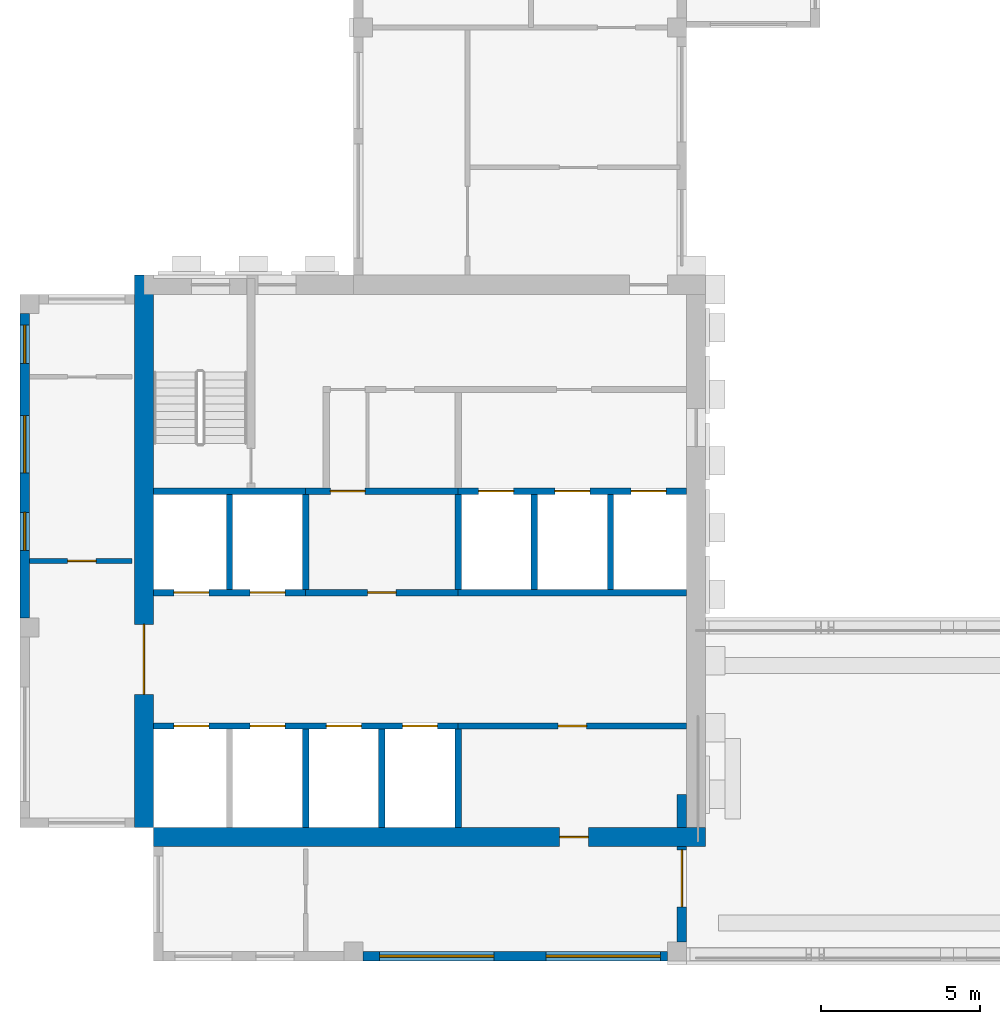
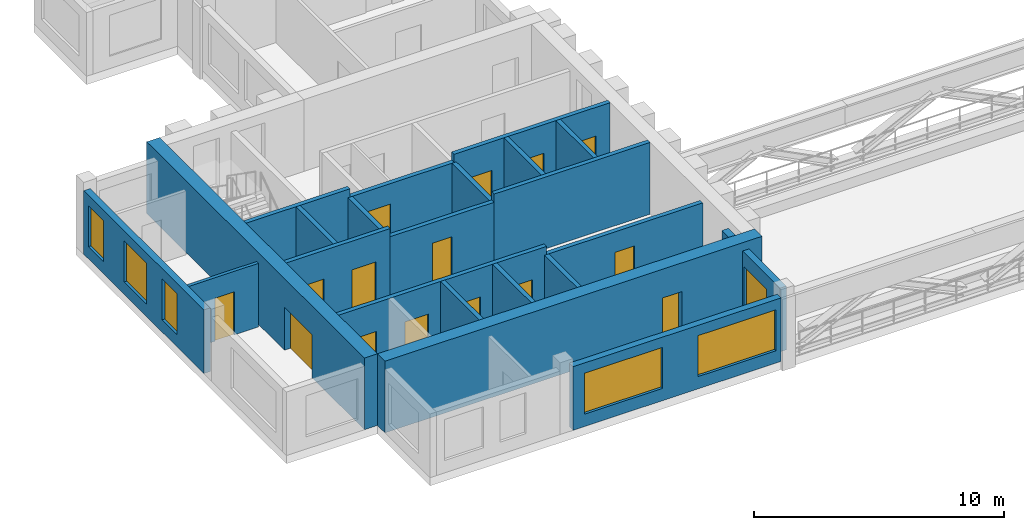
# One storey, part 2 of 9: 23 walls, 16 doors, 5 windows, 21 openings.
"""IFC4 building model written with IfcOpenShell, lengths in metres."""

from ifc_helpers import new_model, si_unit, direction, frame, frame_2d, origin, place, context, subcontext, project, spatial, rectangle, extrude, source, transform, mapped, material, layer, layer_set, type_object, element, fill, save


model = new_model("IFC4")

# Units and contexts
model_context = context("Model", 3, precision=1e-05, world=origin(), true_north=direction((0.0, 1.0)))
body_context = subcontext(model_context, "Body", "Model", "MODEL_VIEW")
ifc_project = project(units=[si_unit("LENGTHUNIT", "METRE"), si_unit("AREAUNIT", "SQUARE_METRE"), si_unit("VOLUMEUNIT", "CUBIC_METRE"), si_unit("PLANEANGLEUNIT", "RADIAN"), si_unit("MASSUNIT", "GRAM", prefix="KILO")], contexts=[model_context])

# Site, building, storey
site_placement = place(None, origin())
site = spatial("IfcSite", under=ifc_project, at=site_placement, CompositionType="ELEMENT")
building_placement = place(site_placement, origin())
building = spatial("IfcBuilding", under=site, at=building_placement, Name="Aurelian Terraces", CompositionType="ELEMENT")
storey_placement = place(building_placement, frame((0.0, 0.0, 351.0)))
storey = spatial("IfcBuildingStorey", under=building, at=storey_placement, Name="L83", CompositionType="ELEMENT", Elevation=351.0)

# Wall, opening, door
ifc_material_1 = material(Name="Concrete fc' 55 MPa", Category="concrete")
ifc_layer_1 = layer(ifc_material_1, 0.6)
ifc_layer_set_1 = layer_set([ifc_layer_1], Name="CORE WALL 600 FC55")
wall_type_1 = type_object("IfcWallType", Name="CORE WALL 600 FC55", PredefinedType="SHEAR", material=ifc_layer_set_1)
shared_shape_1 = source(origin(), body_context, "Body", "SweptSolid", [
    extrude(rectangle(XDim=17.4, YDim=0.6, at=frame_2d((8.7, 0.0))), origin(), (0.0, 0.0, 1.0), 3.5),
])
wall_1_placement = place(storey_placement, frame((3.9, 4.2, 0.0), z_axis=(0.0, 0.0, 1.0), x_axis=(0.0, 1.0, 0.0)))
wall_1 = element("IfcWall", 1, at=wall_1_placement, inside=storey, type_object=wall_type_1, Name="Core wall W L83", PredefinedType="SHEAR", context=body_context, shape_type="MappedRepresentation", body=[
    mapped(shared_shape_1, transform((0.0, 0.0, 0.0), scale=1.0)),
])
shared_shape_2 = source(origin(), body_context, "Body", "SweptSolid", [
    extrude(rectangle(XDim=2.2, YDim=2.1, at=frame_2d((1.1, 1.05))), frame((0.0, 0.31, 0.0), z_axis=(0.0, -1.0, 0.0), x_axis=(1.0, 0.0, 0.0)), (0.0, 0.0, 1.0), 0.62),
])
opening_1_placement = place(wall_1_placement, frame((4.2, 0.0, 0.0)))
opening_1 = element("IfcOpeningElement", 2, at=opening_1_placement, cuts=wall_1, Name="Opening 68620", PredefinedType="OPENING", context=body_context, shape_type="MappedRepresentation", body=[
    mapped(shared_shape_2, transform((0.0, 0.0, 0.0), scale=1.0)),
])
ifc_material_2 = material(Name="Steel door leaf", Category="steel")
door_type_1 = type_object("IfcDoorType", Name="Core double door 2200x2100", OperationType="DOUBLE_DOOR_SINGLE_SWING", PredefinedType="DOOR", material=ifc_material_2)
shared_shape_3 = source(origin(), body_context, "Body", "SweptSolid", [
    extrude(rectangle(XDim=2.2, YDim=2.1, at=frame_2d((1.1, 1.05))), frame((0.0, 0.025, 0.0), z_axis=(0.0, -1.0, 0.0), x_axis=(1.0, 0.0, 0.0)), (0.0, 0.0, 1.0), 0.05),
])
door_1_placement = place(opening_1_placement, origin())
door_1 = element("IfcDoor", 3, at=door_1_placement, inside=storey, type_object=door_type_1, Name="Core door 68620", OperationType="DOUBLE_DOOR_SINGLE_SWING", OverallHeight=2.1, OverallWidth=2.2, PredefinedType="DOOR", context=body_context, shape_type="MappedRepresentation", body=[
    mapped(shared_shape_3, transform((0.0, 0.0, 0.0), scale=1.0)),
])
fill(opening_1, door_1)

wall_2_placement = place(storey_placement, frame((4.2, 3.9, 0.0), z_axis=(0.0, 0.0, 1.0), x_axis=(1.0, 0.0, 0.0)))
wall_2 = element("IfcWall", 4, at=wall_2_placement, inside=storey, type_object=wall_type_1, Name="Core wall S L83", PredefinedType="SHEAR", context=body_context, shape_type="MappedRepresentation", body=[
    mapped(shared_shape_1, transform((0.0, 0.0, 0.0), scale=1.0)),
])
shared_shape_4 = source(origin(), body_context, "Body", "SweptSolid", [
    extrude(rectangle(XDim=0.9, YDim=2.1, at=frame_2d((0.45, 1.05))), frame((0.0, 0.31, 0.0), z_axis=(0.0, -1.0, 0.0), x_axis=(1.0, 0.0, 0.0)), (0.0, 0.0, 1.0), 0.62),
])
opening_2_placement = place(wall_2_placement, frame((12.8, 0.0, 0.0)))
opening_2 = element("IfcOpeningElement", 5, at=opening_2_placement, cuts=wall_2, Name="Opening 68622", PredefinedType="OPENING", context=body_context, shape_type="MappedRepresentation", body=[
    mapped(shared_shape_4, transform((0.0, 0.0, 0.0), scale=1.0)),
])
door_type_2 = type_object("IfcDoorType", Name="Core service door 900x2100", OperationType="SINGLE_SWING_LEFT", PredefinedType="DOOR", material=ifc_material_2)
shared_shape_5 = source(origin(), body_context, "Body", "SweptSolid", [
    extrude(rectangle(XDim=0.9, YDim=2.1, at=frame_2d((0.45, 1.05))), frame((0.0, 0.025, 0.0), z_axis=(0.0, -1.0, 0.0), x_axis=(1.0, 0.0, 0.0)), (0.0, 0.0, 1.0), 0.05),
])
door_2_placement = place(opening_2_placement, origin())
door_2 = element("IfcDoor", 6, at=door_2_placement, inside=storey, type_object=door_type_2, Name="Core door 68622", OperationType="SINGLE_SWING_LEFT", OverallHeight=2.1, OverallWidth=0.9, PredefinedType="DOOR", context=body_context, shape_type="MappedRepresentation", body=[
    mapped(shared_shape_5, transform((0.0, 0.0, 0.0), scale=1.0)),
])
fill(opening_2, door_2)

# Wall
ifc_material_3 = material(Name="Terracotta rainscreen cladding", Category="masonry")
ifc_layer_2 = layer(ifc_material_3, 0.3)
ifc_layer_set_2 = layer_set([ifc_layer_2], Name="EW-300")
wall_type_2 = type_object("IfcWallType", Name="EW-300", PredefinedType="STANDARD", material=ifc_layer_set_2)
shared_shape_6 = source(origin(), body_context, "Body", "SweptSolid", [
    extrude(rectangle(XDim=1.05, YDim=0.3, at=frame_2d((0.525, 0.0))), origin(), (0.0, 0.0, 1.0), 3.1),
])
wall_3_placement = place(storey_placement, frame((20.85, 4.2, 0.0), z_axis=(0.0, 0.0, 1.0), x_axis=(0.0, 1.0, 0.0)))
element("IfcWall", 7, at=wall_3_placement, inside=storey, type_object=wall_type_2, Name="External wall L83 F02.3", PredefinedType="STANDARD", context=body_context, shape_type="MappedRepresentation", body=[
    mapped(shared_shape_6, transform((0.0, 0.0, 0.0), scale=1.0)),
])

# Wall, opening, door
shared_shape_7 = source(origin(), body_context, "Body", "SweptSolid", [
    extrude(rectangle(XDim=3.0, YDim=0.3, at=frame_2d((1.5, 0.0))), origin(), (0.0, 0.0, 1.0), 3.1),
])
wall_4_placement = place(storey_placement, frame((20.85, 0.6, 0.0), z_axis=(0.0, 0.0, 1.0), x_axis=(0.0, 1.0, 0.0)))
wall_4 = element("IfcWall", 8, at=wall_4_placement, inside=storey, type_object=wall_type_2, Name="External wall L83 F02.3", PredefinedType="STANDARD", context=body_context, shape_type="MappedRepresentation", body=[
    mapped(shared_shape_7, transform((0.0, 0.0, 0.0), scale=1.0)),
])
shared_shape_8 = source(origin(), body_context, "Body", "SweptSolid", [
    extrude(rectangle(XDim=1.8, YDim=2.4, at=frame_2d((0.9, 1.2))), frame((0.0, 0.16, 0.0), z_axis=(0.0, -1.0, 0.0), x_axis=(1.0, 0.0, 0.0)), (0.0, 0.0, 1.0), 0.32),
])
opening_3_placement = place(wall_4_placement, frame((1.1, 0.0, 0.0)))
opening_3 = element("IfcOpeningElement", 9, at=opening_3_placement, cuts=wall_4, Name="Opening 88301", PredefinedType="OPENING", context=body_context, shape_type="MappedRepresentation", body=[
    mapped(shared_shape_8, transform((0.0, 0.0, 0.0), scale=1.0)),
])
ifc_material_4 = material(Name="Clear glazing", Category="glass")
door_type_3 = type_object("IfcDoorType", Name="BD-1800x2400", OperationType="SLIDING_TO_LEFT", PredefinedType="DOOR", material=ifc_material_4)
shared_shape_9 = source(origin(), body_context, "Body", "SweptSolid", [
    extrude(rectangle(XDim=1.8, YDim=2.4, at=frame_2d((0.9, 1.2))), frame((0.0, 0.025, 0.0), z_axis=(0.0, -1.0, 0.0), x_axis=(1.0, 0.0, 0.0)), (0.0, 0.0, 1.0), 0.05),
])
door_3_placement = place(opening_3_placement, origin())
door_3 = element("IfcDoor", 10, at=door_3_placement, inside=storey, type_object=door_type_3, Name="Terrace door L83 L83-F02-03.1", OperationType="SLIDING_TO_LEFT", OverallHeight=2.4, OverallWidth=1.8, PredefinedType="DOOR", context=body_context, shape_type="MappedRepresentation", body=[
    mapped(shared_shape_9, transform((0.0, 0.0, 0.0), scale=1.0)),
])
fill(opening_3, door_3)

# Wall, openings, windows
shared_shape_10 = source(origin(), body_context, "Body", "SweptSolid", [
    extrude(rectangle(XDim=9.6, YDim=0.3, at=frame_2d((4.8, 0.0))), origin(), (0.0, 0.0, 1.0), 3.1),
])
wall_5_placement = place(storey_placement, frame((10.8, 0.15, 0.0), z_axis=(0.0, 0.0, 1.0), x_axis=(1.0, 0.0, 0.0)))
wall_5 = element("IfcWall", 11, at=wall_5_placement, inside=storey, type_object=wall_type_2, Name="External wall L83 F01.2", PredefinedType="STANDARD", context=body_context, shape_type="MappedRepresentation", body=[
    mapped(shared_shape_10, transform((0.0, 0.0, 0.0), scale=1.0)),
])
shared_shape_11 = source(origin(), body_context, "Body", "SweptSolid", [
    extrude(rectangle(XDim=3.6, YDim=2.0, at=frame_2d((1.8, 1.0))), frame((0.0, 0.16, 0.0), z_axis=(0.0, -1.0, 0.0), x_axis=(1.0, 0.0, 0.0)), (0.0, 0.0, 1.0), 0.32),
])
opening_4_placement = place(wall_5_placement, frame((0.525, 0.0, 0.6)))
opening_4 = element("IfcOpeningElement", 12, at=opening_4_placement, cuts=wall_5, Name="Opening W3620", PredefinedType="OPENING", context=body_context, shape_type="MappedRepresentation", body=[
    mapped(shared_shape_11, transform((0.0, 0.0, 0.0), scale=1.0)),
])
opening_5_placement = place(wall_5_placement, frame((5.775, 0.0, 0.6)))
opening_5 = element("IfcOpeningElement", 13, at=opening_5_placement, cuts=wall_5, Name="Opening W3620", PredefinedType="OPENING", context=body_context, shape_type="MappedRepresentation", body=[
    mapped(shared_shape_11, transform((0.0, 0.0, 0.0), scale=1.0)),
])
window_type_1 = type_object("IfcWindowType", Name="W-3600x2000", PartitioningType="SINGLE_PANEL", PredefinedType="WINDOW", material=ifc_material_4)
shared_shape_12 = source(origin(), body_context, "Body", "SweptSolid", [
    extrude(rectangle(XDim=3.6, YDim=2.0, at=frame_2d((1.8, 1.0))), frame((0.0, 0.03, 0.0), z_axis=(0.0, -1.0, 0.0), x_axis=(1.0, 0.0, 0.0)), (0.0, 0.0, 1.0), 0.06),
])
window_1_placement = place(opening_4_placement, origin())
window_1 = element("IfcWindow", 14, at=window_1_placement, inside=storey, type_object=window_type_1, Name="Window L83 L83-F01-02-0", OverallHeight=2.0, OverallWidth=3.6, PartitioningType="SINGLE_PANEL", PredefinedType="WINDOW", context=body_context, shape_type="MappedRepresentation", body=[
    mapped(shared_shape_12, transform((0.0, 0.0, 0.0), scale=1.0)),
])
fill(opening_4, window_1)
window_2_placement = place(opening_5_placement, origin())
window_2 = element("IfcWindow", 15, at=window_2_placement, inside=storey, type_object=window_type_1, Name="Window L83 L83-F01-02-1", OverallHeight=2.0, OverallWidth=3.6, PartitioningType="SINGLE_PANEL", PredefinedType="WINDOW", context=body_context, shape_type="MappedRepresentation", body=[
    mapped(shared_shape_12, transform((0.0, 0.0, 0.0), scale=1.0)),
])
fill(opening_5, window_2)

wall_6_placement = place(storey_placement, frame((0.15, 20.4, 0.0), z_axis=(0.0, 0.0, 1.0), x_axis=(0.0, -1.0, 0.0)))
wall_6 = element("IfcWall", 16, at=wall_6_placement, inside=storey, type_object=wall_type_2, Name="External wall L83 F10.16", PredefinedType="STANDARD", context=body_context, shape_type="MappedRepresentation", body=[
    mapped(shared_shape_10, transform((0.0, 0.0, 0.0), scale=1.0)),
])
shared_shape_13 = source(origin(), body_context, "Body", "SweptSolid", [
    extrude(rectangle(XDim=1.2, YDim=2.0, at=frame_2d((0.6, 1.0))), frame((0.0, 0.16, 0.0), z_axis=(0.0, -1.0, 0.0), x_axis=(1.0, 0.0, 0.0)), (0.0, 0.0, 1.0), 0.32),
])
opening_6_placement = place(wall_6_placement, frame((0.375, 0.0, 0.6)))
opening_6 = element("IfcOpeningElement", 17, at=opening_6_placement, cuts=wall_6, Name="Opening W1220", PredefinedType="OPENING", context=body_context, shape_type="MappedRepresentation", body=[
    mapped(shared_shape_13, transform((0.0, 0.0, 0.0), scale=1.0)),
])
shared_shape_14 = source(origin(), body_context, "Body", "SweptSolid", [
    extrude(rectangle(XDim=1.8, YDim=2.0, at=frame_2d((0.9, 1.0))), frame((0.0, 0.16, 0.0), z_axis=(0.0, -1.0, 0.0), x_axis=(1.0, 0.0, 0.0)), (0.0, 0.0, 1.0), 0.32),
])
opening_7_placement = place(wall_6_placement, frame((3.225, 0.0, 0.6)))
opening_7 = element("IfcOpeningElement", 18, at=opening_7_placement, cuts=wall_6, Name="Opening W1820", PredefinedType="OPENING", context=body_context, shape_type="MappedRepresentation", body=[
    mapped(shared_shape_14, transform((0.0, 0.0, 0.0), scale=1.0)),
])
opening_8_placement = place(wall_6_placement, frame((6.2688, 0.0, 0.6)))
opening_8 = element("IfcOpeningElement", 19, at=opening_8_placement, cuts=wall_6, Name="Opening W1220", PredefinedType="OPENING", context=body_context, shape_type="MappedRepresentation", body=[
    mapped(shared_shape_13, transform((0.0, 0.0, 0.0), scale=1.0)),
])
window_type_2 = type_object("IfcWindowType", Name="W-1200x2000", PartitioningType="SINGLE_PANEL", PredefinedType="WINDOW", material=ifc_material_4)
shared_shape_15 = source(origin(), body_context, "Body", "SweptSolid", [
    extrude(rectangle(XDim=1.2, YDim=2.0, at=frame_2d((0.6, 1.0))), frame((0.0, 0.03, 0.0), z_axis=(0.0, -1.0, 0.0), x_axis=(1.0, 0.0, 0.0)), (0.0, 0.0, 1.0), 0.06),
])
window_3_placement = place(opening_6_placement, origin())
window_3 = element("IfcWindow", 20, at=window_3_placement, inside=storey, type_object=window_type_2, Name="Window L83 L83-F10-16-0", OverallHeight=2.0, OverallWidth=1.2, PartitioningType="SINGLE_PANEL", PredefinedType="WINDOW", context=body_context, shape_type="MappedRepresentation", body=[
    mapped(shared_shape_15, transform((0.0, 0.0, 0.0), scale=1.0)),
])
fill(opening_6, window_3)
window_4_placement = place(opening_8_placement, origin())
window_4 = element("IfcWindow", 21, at=window_4_placement, inside=storey, type_object=window_type_2, Name="Window L83 L83-F10-16-G0-56", OverallHeight=2.0, OverallWidth=1.2, PartitioningType="SINGLE_PANEL", PredefinedType="WINDOW", context=body_context, shape_type="MappedRepresentation", body=[
    mapped(shared_shape_15, transform((0.0, 0.0, 0.0), scale=1.0)),
])
fill(opening_8, window_4)
window_type_3 = type_object("IfcWindowType", Name="W-1800x2000", PartitioningType="SINGLE_PANEL", PredefinedType="WINDOW", material=ifc_material_4)
shared_shape_16 = source(origin(), body_context, "Body", "SweptSolid", [
    extrude(rectangle(XDim=1.8, YDim=2.0, at=frame_2d((0.9, 1.0))), frame((0.0, 0.03, 0.0), z_axis=(0.0, -1.0, 0.0), x_axis=(1.0, 0.0, 0.0)), (0.0, 0.0, 1.0), 0.06),
])
window_5_placement = place(opening_7_placement, origin())
window_5 = element("IfcWindow", 22, at=window_5_placement, inside=storey, type_object=window_type_3, Name="Window L83 L83-F10-16-1", OverallHeight=2.0, OverallWidth=1.8, PartitioningType="SINGLE_PANEL", PredefinedType="WINDOW", context=body_context, shape_type="MappedRepresentation", body=[
    mapped(shared_shape_16, transform((0.0, 0.0, 0.0), scale=1.0)),
])
fill(opening_7, window_5)

# Walls
ifc_material_5 = material(Name="Concrete fc' 40 MPa", Category="concrete")
ifc_layer_3 = layer(ifc_material_5, 0.2)
ifc_layer_set_3 = layer_set([ifc_layer_3], Name="Lift shaft wall 200")
wall_type_3 = type_object("IfcWallType", Name="Lift shaft wall 200", PredefinedType="SOLIDWALL", material=ifc_layer_set_3)
shared_shape_17 = source(origin(), body_context, "Body", "SweptSolid", [
    extrude(rectangle(XDim=3.1, YDim=0.2, at=frame_2d((1.55, 0.0))), origin(), (0.0, 0.0, 1.0), 3.5),
])
for number, where, z_axis, x_axis, name in (
    (23, (9.0, 4.2, 0.0), (0.0, 0.0, 1.0), (0.0, 1.0, 0.0), "L83 core wall CD-A2"),
    (24, (11.4, 4.2, 0.0), (0.0, 0.0, 1.0), (0.0, 1.0, 0.0), "L83 core wall CD-A3"),
):
    element("IfcWall", number, at=place(storey_placement, frame(where, z_axis=z_axis, x_axis=x_axis)), inside=storey, type_object=wall_type_3, Name=name, PredefinedType="SOLIDWALL", context=body_context, shape_type="MappedRepresentation", body=[
        mapped(shared_shape_17, transform((0.0, 0.0, 0.0), scale=1.0)),
    ])
shared_shape_18 = source(origin(), body_context, "Body", "SweptSolid", [
    extrude(rectangle(XDim=3.1, YDim=0.2, at=frame_2d((1.55, 0.0))), origin(), (0.0, 0.0, 1.0), 3.1),
])
wall_7_placement = place(storey_placement, frame((13.8, 4.2, 0.0), z_axis=(0.0, 0.0, 1.0), x_axis=(0.0, 1.0, 0.0)))
element("IfcWall", 25, at=wall_7_placement, inside=storey, type_object=wall_type_3, Name="L83 core wall CD-A4", PredefinedType="SOLIDWALL", context=body_context, shape_type="MappedRepresentation", body=[
    mapped(shared_shape_18, transform((0.0, 0.0, 0.0), scale=1.0)),
])
shared_shape_19 = source(origin(), body_context, "Body", "SweptSolid", [
    extrude(rectangle(XDim=3.0, YDim=0.2, at=frame_2d((1.5, 0.0))), origin(), (0.0, 0.0, 1.0), 3.1),
])
for number, where, z_axis, x_axis, name in (
    (26, (9.0, 11.7, 0.0), (0.0, 0.0, 1.0), (0.0, 1.0, 0.0), "L83 core wall CD-B2"),
    (27, (13.8, 11.7, 0.0), (0.0, 0.0, 1.0), (0.0, 1.0, 0.0), "L83 core wall CD-B4"),
):
    element("IfcWall", number, at=place(storey_placement, frame(where, z_axis=z_axis, x_axis=x_axis)), inside=storey, type_object=wall_type_3, Name=name, PredefinedType="SOLIDWALL", context=body_context, shape_type="MappedRepresentation", body=[
        mapped(shared_shape_19, transform((0.0, 0.0, 0.0), scale=1.0)),
    ])
shared_shape_20 = source(origin(), body_context, "Body", "SweptSolid", [
    extrude(rectangle(XDim=3.0, YDim=0.2, at=frame_2d((1.5, 0.0))), origin(), (0.0, 0.0, 1.0), 3.5),
])
for number, where, z_axis, x_axis, name in (
    (28, (6.6, 11.7, 0.0), (0.0, 0.0, 1.0), (0.0, 1.0, 0.0), "L83 core wall CD-B1"),
    (29, (16.2, 11.7, 0.0), (0.0, 0.0, 1.0), (0.0, 1.0, 0.0), "L83 core wall CD-B5"),
    (30, (18.6, 11.7, 0.0), (0.0, 0.0, 1.0), (0.0, 1.0, 0.0), "L83 core wall CD-B6"),
):
    element("IfcWall", number, at=place(storey_placement, frame(where, z_axis=z_axis, x_axis=x_axis)), inside=storey, type_object=wall_type_3, Name=name, PredefinedType="SOLIDWALL", context=body_context, shape_type="MappedRepresentation", body=[
        mapped(shared_shape_20, transform((0.0, 0.0, 0.0), scale=1.0)),
    ])

# Wall, openings, doors
shared_shape_21 = source(origin(), body_context, "Body", "SweptSolid", [
    extrude(rectangle(XDim=4.8, YDim=0.2, at=frame_2d((2.4, 0.0))), origin(), (0.0, 0.0, 1.0), 3.5),
])
wall_8_placement = place(storey_placement, frame((4.2, 11.6, 0.0), z_axis=(0.0, 0.0, 1.0), x_axis=(1.0, 0.0, 0.0)))
wall_8 = element("IfcWall", 31, at=wall_8_placement, inside=storey, type_object=wall_type_3, Name="L83 core wall CF-BF1", PredefinedType="SOLIDWALL", context=body_context, shape_type="MappedRepresentation", body=[
    mapped(shared_shape_21, transform((0.0, 0.0, 0.0), scale=1.0)),
])
shared_shape_22 = source(origin(), body_context, "Body", "SweptSolid", [
    extrude(rectangle(XDim=1.1, YDim=2.1, at=frame_2d((0.55, 1.05))), frame((0.0, 0.11, 0.0), z_axis=(0.0, -1.0, 0.0), x_axis=(1.0, 0.0, 0.0)), (0.0, 0.0, 1.0), 0.22),
])
opening_9_placement = place(wall_8_placement, frame((0.65, 0.0, 0.0)))
opening_9 = element("IfcOpeningElement", 32, at=opening_9_placement, cuts=wall_8, Name="Opening 68605", PredefinedType="OPENING", context=body_context, shape_type="MappedRepresentation", body=[
    mapped(shared_shape_22, transform((0.0, 0.0, 0.0), scale=1.0)),
])
opening_10_placement = place(wall_8_placement, frame((3.05, 0.0, 0.0)))
opening_10 = element("IfcOpeningElement", 33, at=opening_10_placement, cuts=wall_8, Name="Opening 68606", PredefinedType="OPENING", context=body_context, shape_type="MappedRepresentation", body=[
    mapped(shared_shape_22, transform((0.0, 0.0, 0.0), scale=1.0)),
])
ifc_material_6 = material(Name="Stainless steel", Category="steel")
door_type_4 = type_object("IfcDoorType", Name="Lift landing door 1100x2100", OperationType="SLIDING_TO_LEFT", PredefinedType="DOOR", material=ifc_material_6)
shared_shape_23 = source(origin(), body_context, "Body", "SweptSolid", [
    extrude(rectangle(XDim=1.1, YDim=2.1, at=frame_2d((0.55, 1.05))), frame((0.0, 0.025, 0.0), z_axis=(0.0, -1.0, 0.0), x_axis=(1.0, 0.0, 0.0)), (0.0, 0.0, 1.0), 0.05),
])
door_4_placement = place(opening_9_placement, origin())
door_4 = element("IfcDoor", 34, at=door_4_placement, inside=storey, type_object=door_type_4, Name="Lift landing door LH5 L83", OperationType="SLIDING_TO_LEFT", OverallHeight=2.1, OverallWidth=1.1, PredefinedType="DOOR", context=body_context, shape_type="MappedRepresentation", body=[
    mapped(shared_shape_23, transform((0.0, 0.0, 0.0), scale=1.0)),
])
fill(opening_9, door_4)
door_5_placement = place(opening_10_placement, origin())
door_5 = element("IfcDoor", 35, at=door_5_placement, inside=storey, type_object=door_type_4, Name="Lift landing door LH6 L83", OperationType="SLIDING_TO_LEFT", OverallHeight=2.1, OverallWidth=1.1, PredefinedType="DOOR", context=body_context, shape_type="MappedRepresentation", body=[
    mapped(shared_shape_23, transform((0.0, 0.0, 0.0), scale=1.0)),
])
fill(opening_10, door_5)

# Wall
wall_9_placement = place(storey_placement, frame((4.2, 14.8, 0.0), z_axis=(0.0, 0.0, 1.0), x_axis=(1.0, 0.0, 0.0)))
element("IfcWall", 36, at=wall_9_placement, inside=storey, type_object=wall_type_3, Name="L83 core wall CF-BB1", PredefinedType="SOLIDWALL", context=body_context, shape_type="MappedRepresentation", body=[
    mapped(shared_shape_21, transform((0.0, 0.0, 0.0), scale=1.0)),
])

# Wall, opening, door
shared_shape_24 = source(origin(), body_context, "Body", "SweptSolid", [
    extrude(rectangle(XDim=4.8, YDim=0.2, at=frame_2d((2.4, 0.0))), origin(), (0.0, 0.0, 1.0), 3.1),
])
wall_10_placement = place(storey_placement, frame((9.0, 11.6, 0.0), z_axis=(0.0, 0.0, 1.0), x_axis=(1.0, 0.0, 0.0)))
wall_10 = element("IfcWall", 37, at=wall_10_placement, inside=storey, type_object=wall_type_3, Name="L83 core wall CF-BF2", PredefinedType="SOLIDWALL", context=body_context, shape_type="MappedRepresentation", body=[
    mapped(shared_shape_24, transform((0.0, 0.0, 0.0), scale=1.0)),
])
shared_shape_25 = source(origin(), body_context, "Body", "SweptSolid", [
    extrude(rectangle(XDim=0.9, YDim=2.1, at=frame_2d((0.45, 1.05))), frame((0.0, 0.11, 0.0), z_axis=(0.0, -1.0, 0.0), x_axis=(1.0, 0.0, 0.0)), (0.0, 0.0, 1.0), 0.22),
])
opening_11_placement = place(wall_10_placement, frame((1.95, 0.0, 0.0)))
opening_11 = element("IfcOpeningElement", 38, at=opening_11_placement, cuts=wall_10, Name="Opening 68607", PredefinedType="OPENING", context=body_context, shape_type="MappedRepresentation", body=[
    mapped(shared_shape_25, transform((0.0, 0.0, 0.0), scale=1.0)),
])
door_type_5 = type_object("IfcDoorType", Name="Core service door 900x2100 right", OperationType="SINGLE_SWING_RIGHT", PredefinedType="DOOR", material=ifc_material_2)
door_6_placement = place(opening_11_placement, origin())
door_6 = element("IfcDoor", 39, at=door_6_placement, inside=storey, type_object=door_type_5, Name="Room door 68607", OperationType="SINGLE_SWING_RIGHT", OverallHeight=2.1, OverallWidth=0.9, PredefinedType="DOOR", context=body_context, shape_type="MappedRepresentation", body=[
    mapped(shared_shape_5, transform((0.0, 0.0, 0.0), scale=1.0)),
])
fill(opening_11, door_6)

wall_11_placement = place(storey_placement, frame((9.0, 14.8, 0.0), z_axis=(0.0, 0.0, 1.0), x_axis=(1.0, 0.0, 0.0)))
wall_11 = element("IfcWall", 40, at=wall_11_placement, inside=storey, type_object=wall_type_3, Name="L83 core wall CF-BB2", PredefinedType="SOLIDWALL", context=body_context, shape_type="MappedRepresentation", body=[
    mapped(shared_shape_24, transform((0.0, 0.0, 0.0), scale=1.0)),
])
opening_12_placement = place(wall_11_placement, frame((0.775, 0.0, 0.0)))
opening_12 = element("IfcOpeningElement", 41, at=opening_12_placement, cuts=wall_11, Name="Opening 68608", PredefinedType="OPENING", context=body_context, shape_type="MappedRepresentation", body=[
    mapped(shared_shape_22, transform((0.0, 0.0, 0.0), scale=1.0)),
])
door_type_6 = type_object("IfcDoorType", Name="Core fire door 1100x2100", OperationType="SINGLE_SWING_LEFT", PredefinedType="DOOR", material=ifc_material_2)
door_7_placement = place(opening_12_placement, origin())
door_7 = element("IfcDoor", 42, at=door_7_placement, inside=storey, type_object=door_type_6, Name="Room door 68608", OperationType="SINGLE_SWING_LEFT", OverallHeight=2.1, OverallWidth=1.1, PredefinedType="DOOR", context=body_context, shape_type="MappedRepresentation", body=[
    mapped(shared_shape_23, transform((0.0, 0.0, 0.0), scale=1.0)),
])
fill(opening_12, door_7)

# Wall
shared_shape_26 = source(origin(), body_context, "Body", "SweptSolid", [
    extrude(rectangle(XDim=7.2, YDim=0.2, at=frame_2d((3.6, 0.0))), origin(), (0.0, 0.0, 1.0), 3.5),
])
wall_12_placement = place(storey_placement, frame((13.8, 11.6, 0.0), z_axis=(0.0, 0.0, 1.0), x_axis=(1.0, 0.0, 0.0)))
element("IfcWall", 43, at=wall_12_placement, inside=storey, type_object=wall_type_3, Name="L83 core wall CF-BF3", PredefinedType="SOLIDWALL", context=body_context, shape_type="MappedRepresentation", body=[
    mapped(shared_shape_26, transform((0.0, 0.0, 0.0), scale=1.0)),
])

# Wall, openings, doors
wall_13_placement = place(storey_placement, frame((13.8, 14.8, 0.0), z_axis=(0.0, 0.0, 1.0), x_axis=(1.0, 0.0, 0.0)))
wall_13 = element("IfcWall", 44, at=wall_13_placement, inside=storey, type_object=wall_type_3, Name="L83 core wall CF-BB3", PredefinedType="SOLIDWALL", context=body_context, shape_type="MappedRepresentation", body=[
    mapped(shared_shape_26, transform((0.0, 0.0, 0.0), scale=1.0)),
])
opening_13_placement = place(wall_13_placement, frame((0.65, 0.0, 0.0)))
opening_13 = element("IfcOpeningElement", 45, at=opening_13_placement, cuts=wall_13, Name="Opening 68609", PredefinedType="OPENING", context=body_context, shape_type="MappedRepresentation", body=[
    mapped(shared_shape_22, transform((0.0, 0.0, 0.0), scale=1.0)),
])
opening_14_placement = place(wall_13_placement, frame((3.05, 0.0, 0.0)))
opening_14 = element("IfcOpeningElement", 46, at=opening_14_placement, cuts=wall_13, Name="Opening 68610", PredefinedType="OPENING", context=body_context, shape_type="MappedRepresentation", body=[
    mapped(shared_shape_22, transform((0.0, 0.0, 0.0), scale=1.0)),
])
opening_15_placement = place(wall_13_placement, frame((5.45, 0.0, 0.0)))
opening_15 = element("IfcOpeningElement", 47, at=opening_15_placement, cuts=wall_13, Name="Opening 68611", PredefinedType="OPENING", context=body_context, shape_type="MappedRepresentation", body=[
    mapped(shared_shape_22, transform((0.0, 0.0, 0.0), scale=1.0)),
])
door_8_placement = place(opening_13_placement, origin())
door_8 = element("IfcDoor", 48, at=door_8_placement, inside=storey, type_object=door_type_4, Name="Lift landing door F1 L83", OperationType="SLIDING_TO_LEFT", OverallHeight=2.1, OverallWidth=1.1, PredefinedType="DOOR", context=body_context, shape_type="MappedRepresentation", body=[
    mapped(shared_shape_23, transform((0.0, 0.0, 0.0), scale=1.0)),
])
fill(opening_13, door_8)
door_9_placement = place(opening_14_placement, origin())
door_9 = element("IfcDoor", 49, at=door_9_placement, inside=storey, type_object=door_type_4, Name="Lift landing door F2 L83", OperationType="SLIDING_TO_LEFT", OverallHeight=2.1, OverallWidth=1.1, PredefinedType="DOOR", context=body_context, shape_type="MappedRepresentation", body=[
    mapped(shared_shape_23, transform((0.0, 0.0, 0.0), scale=1.0)),
])
fill(opening_14, door_9)
door_10_placement = place(opening_15_placement, origin())
door_10 = element("IfcDoor", 50, at=door_10_placement, inside=storey, type_object=door_type_4, Name="Lift landing door F3 L83", OperationType="SLIDING_TO_LEFT", OverallHeight=2.1, OverallWidth=1.1, PredefinedType="DOOR", context=body_context, shape_type="MappedRepresentation", body=[
    mapped(shared_shape_23, transform((0.0, 0.0, 0.0), scale=1.0)),
])
fill(opening_15, door_10)

shared_shape_27 = source(origin(), body_context, "Body", "SweptSolid", [
    extrude(rectangle(XDim=9.6, YDim=0.2, at=frame_2d((4.8, 0.0))), origin(), (0.0, 0.0, 1.0), 3.5),
])
wall_14_placement = place(storey_placement, frame((4.2, 7.4, 0.0), z_axis=(0.0, 0.0, 1.0), x_axis=(1.0, 0.0, 0.0)))
wall_14 = element("IfcWall", 51, at=wall_14_placement, inside=storey, type_object=wall_type_3, Name="L83 core wall CF-AF1", PredefinedType="SOLIDWALL", context=body_context, shape_type="MappedRepresentation", body=[
    mapped(shared_shape_27, transform((0.0, 0.0, 0.0), scale=1.0)),
])
opening_16_placement = place(wall_14_placement, frame((0.65, 0.0, 0.0)))
opening_16 = element("IfcOpeningElement", 52, at=opening_16_placement, cuts=wall_14, Name="Opening 68600", PredefinedType="OPENING", context=body_context, shape_type="MappedRepresentation", body=[
    mapped(shared_shape_22, transform((0.0, 0.0, 0.0), scale=1.0)),
])
opening_17_placement = place(wall_14_placement, frame((3.05, 0.0, 0.0)))
opening_17 = element("IfcOpeningElement", 53, at=opening_17_placement, cuts=wall_14, Name="Opening 68601", PredefinedType="OPENING", context=body_context, shape_type="MappedRepresentation", body=[
    mapped(shared_shape_22, transform((0.0, 0.0, 0.0), scale=1.0)),
])
opening_18_placement = place(wall_14_placement, frame((5.45, 0.0, 0.0)))
opening_18 = element("IfcOpeningElement", 54, at=opening_18_placement, cuts=wall_14, Name="Opening 68602", PredefinedType="OPENING", context=body_context, shape_type="MappedRepresentation", body=[
    mapped(shared_shape_22, transform((0.0, 0.0, 0.0), scale=1.0)),
])
opening_19_placement = place(wall_14_placement, frame((7.85, 0.0, 0.0)))
opening_19 = element("IfcOpeningElement", 55, at=opening_19_placement, cuts=wall_14, Name="Opening 68603", PredefinedType="OPENING", context=body_context, shape_type="MappedRepresentation", body=[
    mapped(shared_shape_22, transform((0.0, 0.0, 0.0), scale=1.0)),
])
door_11_placement = place(opening_16_placement, origin())
door_11 = element("IfcDoor", 56, at=door_11_placement, inside=storey, type_object=door_type_4, Name="Lift landing door LH1 L83", OperationType="SLIDING_TO_LEFT", OverallHeight=2.1, OverallWidth=1.1, PredefinedType="DOOR", context=body_context, shape_type="MappedRepresentation", body=[
    mapped(shared_shape_23, transform((0.0, 0.0, 0.0), scale=1.0)),
])
fill(opening_16, door_11)
door_12_placement = place(opening_17_placement, origin())
door_12 = element("IfcDoor", 57, at=door_12_placement, inside=storey, type_object=door_type_4, Name="Lift landing door LH2 L83", OperationType="SLIDING_TO_LEFT", OverallHeight=2.1, OverallWidth=1.1, PredefinedType="DOOR", context=body_context, shape_type="MappedRepresentation", body=[
    mapped(shared_shape_23, transform((0.0, 0.0, 0.0), scale=1.0)),
])
fill(opening_17, door_12)
door_13_placement = place(opening_18_placement, origin())
door_13 = element("IfcDoor", 58, at=door_13_placement, inside=storey, type_object=door_type_4, Name="Lift landing door LH3 L83", OperationType="SLIDING_TO_LEFT", OverallHeight=2.1, OverallWidth=1.1, PredefinedType="DOOR", context=body_context, shape_type="MappedRepresentation", body=[
    mapped(shared_shape_23, transform((0.0, 0.0, 0.0), scale=1.0)),
])
fill(opening_18, door_13)
door_14_placement = place(opening_19_placement, origin())
door_14 = element("IfcDoor", 59, at=door_14_placement, inside=storey, type_object=door_type_4, Name="Lift landing door LH4 L83", OperationType="SLIDING_TO_LEFT", OverallHeight=2.1, OverallWidth=1.1, PredefinedType="DOOR", context=body_context, shape_type="MappedRepresentation", body=[
    mapped(shared_shape_23, transform((0.0, 0.0, 0.0), scale=1.0)),
])
fill(opening_19, door_14)

# Wall, opening, door
shared_shape_28 = source(origin(), body_context, "Body", "SweptSolid", [
    extrude(rectangle(XDim=7.2, YDim=0.2, at=frame_2d((3.6, 0.0))), origin(), (0.0, 0.0, 1.0), 3.1),
])
wall_15_placement = place(storey_placement, frame((13.8, 7.4, 0.0), z_axis=(0.0, 0.0, 1.0), x_axis=(1.0, 0.0, 0.0)))
wall_15 = element("IfcWall", 60, at=wall_15_placement, inside=storey, type_object=wall_type_3, Name="L83 core wall CF-AF2", PredefinedType="SOLIDWALL", context=body_context, shape_type="MappedRepresentation", body=[
    mapped(shared_shape_28, transform((0.0, 0.0, 0.0), scale=1.0)),
])
opening_20_placement = place(wall_15_placement, frame((3.15, 0.0, 0.0)))
opening_20 = element("IfcOpeningElement", 61, at=opening_20_placement, cuts=wall_15, Name="Opening 68604", PredefinedType="OPENING", context=body_context, shape_type="MappedRepresentation", body=[
    mapped(shared_shape_25, transform((0.0, 0.0, 0.0), scale=1.0)),
])
door_15_placement = place(opening_20_placement, origin())
door_15 = element("IfcDoor", 62, at=door_15_placement, inside=storey, type_object=door_type_2, Name="Room door 68604", OperationType="SINGLE_SWING_LEFT", OverallHeight=2.1, OverallWidth=0.9, PredefinedType="DOOR", context=body_context, shape_type="MappedRepresentation", body=[
    mapped(shared_shape_5, transform((0.0, 0.0, 0.0), scale=1.0)),
])
fill(opening_20, door_15)

ifc_material_7 = material(Name="Gypsum board on steel studs", Category="steel")
ifc_layer_4 = layer(ifc_material_7, 0.15)
ifc_layer_set_4 = layer_set([ifc_layer_4], Name="Partition 150")
wall_type_4 = type_object("IfcWallType", Name="Partition 150", PredefinedType="PARTITIONING", material=ifc_layer_set_4)
shared_shape_29 = source(origin(), body_context, "Body", "SweptSolid", [
    extrude(rectangle(XDim=3.225, YDim=0.15, at=frame_2d((1.6125, 0.0))), origin(), (0.0, 0.0, 1.0), 3.1),
])
wall_16_placement = place(storey_placement, frame((0.3, 12.6, 0.0), z_axis=(0.0, 0.0, 1.0), x_axis=(1.0, 0.0, 0.0)))
wall_16 = element("IfcWall", 63, at=wall_16_placement, inside=storey, type_object=wall_type_4, Name="Partition", PredefinedType="PARTITIONING", context=body_context, shape_type="MappedRepresentation", body=[
    mapped(shared_shape_29, transform((0.0, 0.0, 0.0), scale=1.0)),
])
shared_shape_30 = source(origin(), body_context, "Body", "SweptSolid", [
    extrude(rectangle(XDim=0.9, YDim=2.1, at=frame_2d((0.45, 1.05))), frame((0.0, 0.085, 0.0), z_axis=(0.0, -1.0, 0.0), x_axis=(1.0, 0.0, 0.0)), (0.0, 0.0, 1.0), 0.17),
])
opening_21_placement = place(wall_16_placement, frame((1.2, 0.0, 0.0)))
opening_21 = element("IfcOpeningElement", 64, at=opening_21_placement, cuts=wall_16, Name="Opening 783002", PredefinedType="OPENING", context=body_context, shape_type="MappedRepresentation", body=[
    mapped(shared_shape_30, transform((0.0, 0.0, 0.0), scale=1.0)),
])
ifc_material_8 = material(Name="Timber door leaf", Category="wood")
door_type_7 = type_object("IfcDoorType", Name="Room door 900x2100 left", OperationType="SINGLE_SWING_LEFT", PredefinedType="DOOR", material=ifc_material_8)
door_16_placement = place(opening_21_placement, origin())
door_16 = element("IfcDoor", 65, at=door_16_placement, inside=storey, type_object=door_type_7, Name="Door 783002", OperationType="SINGLE_SWING_LEFT", OverallHeight=2.1, OverallWidth=0.9, PredefinedType="DOOR", context=body_context, shape_type="MappedRepresentation", body=[
    mapped(shared_shape_5, transform((0.0, 0.0, 0.0), scale=1.0)),
])
fill(opening_21, door_16)

save(model, "model.ifc")
